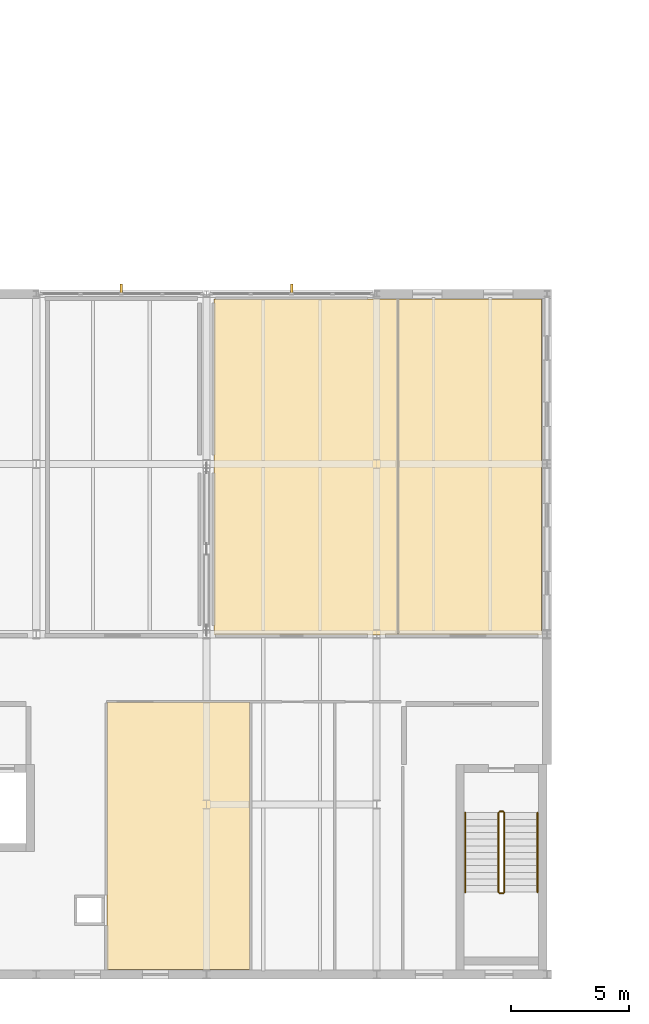
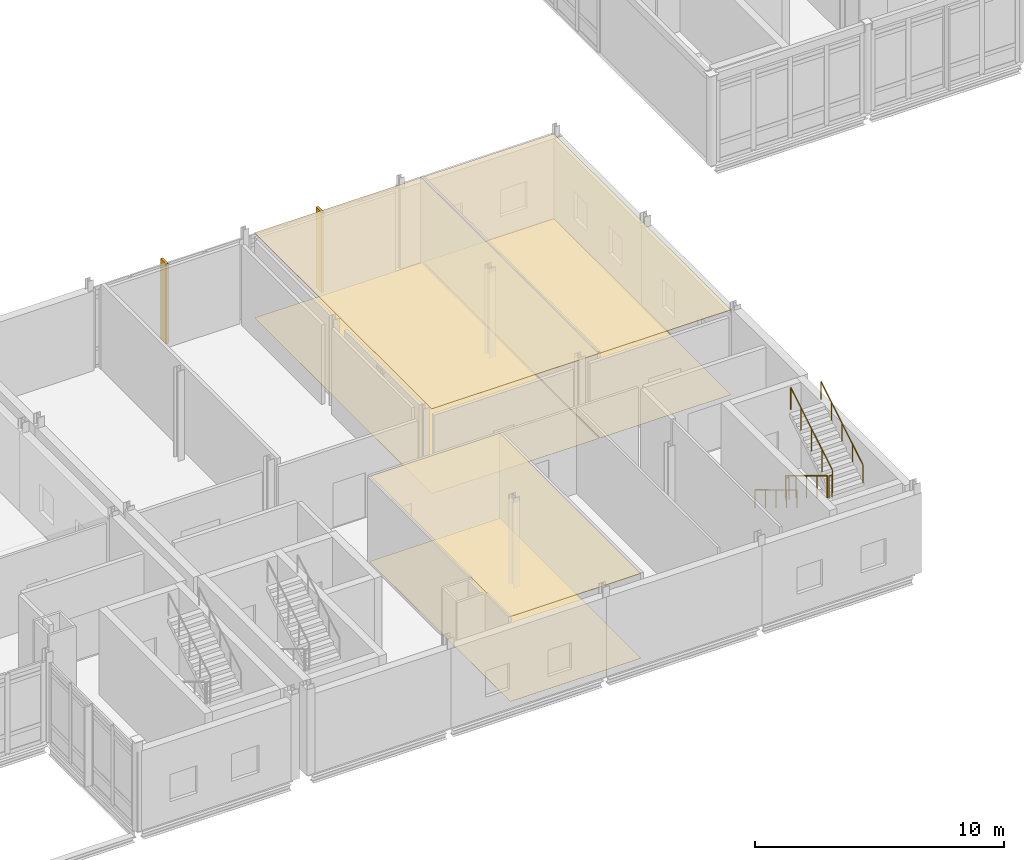
# One storey, part 68 of 72: 6 coverings, 6 railings, 2 shading devices.
"""IFC4 building model written with IfcOpenShell, lengths in metres."""

from ifc_helpers import new_model, si_unit, direction, frame, origin, origin_2d, place, context, subcontext, project, spatial, polyline, rectangle, circle, outline, extrude, material, layer, layer_set, type_object, element, save


model = new_model("IFC4")

# Units and contexts
model_context = context("Model", 3, precision=1e-05, world=origin(), true_north=direction((0.0, 1.0)))
body_context = subcontext(model_context, "Body", "Model", "MODEL_VIEW")
ifc_project = project(units=[si_unit("LENGTHUNIT", "METRE"), si_unit("AREAUNIT", "SQUARE_METRE"), si_unit("VOLUMEUNIT", "CUBIC_METRE"), si_unit("PLANEANGLEUNIT", "RADIAN"), si_unit("MASSUNIT", "GRAM", prefix="KILO")], contexts=[model_context])

# Site, building, storey
site_placement = place(None, origin())
site = spatial("IfcSite", under=ifc_project, at=site_placement, CompositionType="ELEMENT")
building_placement = place(site_placement, origin())
building = spatial("IfcBuilding", under=site, at=building_placement, Name="Zarrinpeak Specialist Clinic", CompositionType="ELEMENT")
storey_placement = place(building_placement, frame((0.0, 0.0, 9.60009765625)))
storey = spatial("IfcBuildingStorey", under=building, at=storey_placement, Name="L02", CompositionType="ELEMENT", Elevation=9.60009765625)

# Coverings
ifc_material_1 = material(Name="Hygienic Acoustic Mineral Fibre Tile")
ifc_layer_1 = layer(ifc_material_1, 0.02490234375)
ifc_layer_set_1 = layer_set([ifc_layer_1], Name="Hygienic Acoustic Mineral Fibre Tile")
covering_type_1 = type_object("IfcCoveringType", Name="CV-CEIL-AC", PredefinedType="CEILING", material=ifc_layer_set_1)
covering_1_placement = place(storey_placement, frame((0.0, 0.0, 4.14501953125)))
element("IfcCovering", 1, at=covering_1_placement, inside=storey, type_object=covering_type_1, Name="L02 Ambulatory Operating Suite 1 Hygienic Acoustic Ceiling", PredefinedType="CEILING", context=body_context, shape_type="SweptSolid", body=[
    extrude(outline(polyline([(67.7900390625, 0.219970703125), (73.85009765625, 0.219970703125), (73.85009765625, 11.530029296875), (67.7900390625, 11.530029296875), (67.7900390625, 0.219970703125)])), origin(), (0.0, 0.0, 1.0), 0.02490234375),
])
covering_2_placement = place(storey_placement, frame((0.0, 0.0, 4.14501953125)))
element("IfcCovering", 2, at=covering_2_placement, inside=storey, type_object=covering_type_1, Name="L02 Ambulatory Operating Suite 2 Hygienic Acoustic Ceiling", PredefinedType="CEILING", context=body_context, shape_type="SweptSolid", body=[
    extrude(outline(polyline([(80.1201171875, 14.3701171875), (86.179931640625, 14.3701171875), (86.179931640625, 28.580078125), (80.1201171875, 28.580078125), (80.1201171875, 14.3701171875)])), origin(), (0.0, 0.0, 1.0), 0.02490234375),
])
covering_3_placement = place(storey_placement, frame((0.0, 0.0, 4.14501953125)))
element("IfcCovering", 3, at=covering_3_placement, inside=storey, type_object=covering_type_1, Name="L02 Specialist Consultation Room 1 Hygienic Acoustic Ceiling", PredefinedType="CEILING", context=body_context, shape_type="SweptSolid", body=[
    extrude(outline(polyline([(72.320068359375, 14.3701171875), (80.080078125, 14.3701171875), (80.080078125, 28.580078125), (72.320068359375, 28.580078125), (72.320068359375, 14.3701171875)])), origin(), (0.0, 0.0, 1.0), 0.02490234375),
])
ifc_material_2 = material(Name="Homogeneous Antimicrobial Clinical Vinyl")
ifc_layer_2 = layer(ifc_material_2, 0.008056640625)
ifc_layer_set_2 = layer_set([ifc_layer_2], Name="Homogeneous Antimicrobial Clinical Vinyl")
covering_type_2 = type_object("IfcCoveringType", Name="CV-FLR-VN", PredefinedType="FLOORING", material=ifc_layer_set_2)
covering_4_placement = place(storey_placement, frame((0.0, 0.0, 0.0009765625)))
element("IfcCovering", 4, at=covering_4_placement, inside=storey, type_object=covering_type_2, Name="L02 Ambulatory Operating Suite 1 Antimicrobial Vinyl Flooring", PredefinedType="FLOORING", context=body_context, shape_type="SweptSolid", body=[
    extrude(outline(polyline([(67.7900390625, 0.219970703125), (73.85009765625, 0.219970703125), (73.85009765625, 11.530029296875), (67.7900390625, 11.530029296875), (67.7900390625, 0.219970703125)])), origin(), (0.0, 0.0, 1.0), 0.0078125),
])
covering_5_placement = place(storey_placement, frame((0.0, 0.0, 0.0009765625)))
element("IfcCovering", 5, at=covering_5_placement, inside=storey, type_object=covering_type_2, Name="L02 Ambulatory Operating Suite 2 Antimicrobial Vinyl Flooring", PredefinedType="FLOORING", context=body_context, shape_type="SweptSolid", body=[
    extrude(outline(polyline([(80.1201171875, 14.3701171875), (86.179931640625, 14.3701171875), (86.179931640625, 28.580078125), (80.1201171875, 28.580078125), (80.1201171875, 14.3701171875)])), origin(), (0.0, 0.0, 1.0), 0.0078125),
])
covering_6_placement = place(storey_placement, frame((0.0, 0.0, 0.0009765625)))
element("IfcCovering", 6, at=covering_6_placement, inside=storey, type_object=covering_type_2, Name="L02 Specialist Consultation Room 1 Antimicrobial Vinyl Flooring", PredefinedType="FLOORING", context=body_context, shape_type="SweptSolid", body=[
    extrude(outline(polyline([(72.320068359375, 14.3701171875), (80.080078125, 14.3701171875), (80.080078125, 28.580078125), (72.320068359375, 28.580078125), (72.320068359375, 14.3701171875)])), origin(), (0.0, 0.0, 1.0), 0.0078125),
])

# Railings
ifc_material_3 = material(Name="Laminated Safety Glass and Stainless Steel 316", Category="steel")
ifc_layer_3 = layer(ifc_material_3, 0.06005859375)
ifc_layer_set_3 = layer_set([ifc_layer_3], Name="Laminated Safety Glass and Stainless Steel 316")
railing_type_1 = type_object("IfcRailingType", Name="RL-GRD115", PredefinedType="GUARDRAIL", material=ifc_layer_set_3)
railing_1_placement = place(storey_placement, frame((84.35009765625, 6.85009765625, 0.169189453125)))
element("IfcRailing", 7, at=railing_1_placement, inside=storey, type_object=railing_type_1, Name="L02 ST-08 stair guard 1", PredefinedType="GUARDRAIL", context=body_context, shape_type="SweptSolid", body=[
    extrude(circle(Radius=0.02392578125, at=origin_2d()), frame((0.0, 0.0, 1.076171875), z_axis=(0.0, -0.855836976705, 0.517245656632), x_axis=(1.0, 0.0, 0.0)), (0.0, 0.0, 1.0), 3.926025390625),
    extrude(circle(Radius=0.02099609375, at=origin_2d()), origin(), (0.0, 0.0, 1.0), 1.052001953125),
    extrude(circle(Radius=0.02099609375, at=origin_2d()), frame((0.0, -0.840087890625, 0.5078125)), (0.0, 0.0, 1.0), 1.052001953125),
    extrude(circle(Radius=0.02099609375, at=origin_2d()), frame((0.0, -1.68017578125, 1.015380859375)), (0.0, 0.0, 1.0), 1.052001953125),
    extrude(circle(Radius=0.02099609375, at=origin_2d()), frame((0.0, -2.52001953125, 1.52294921875)), (0.0, 0.0, 1.0), 1.052001953125),
    extrude(circle(Radius=0.02099609375, at=origin_2d()), frame((0.0, -3.360107421875, 2.03076171875)), (0.0, 0.0, 1.0), 1.052001953125),
])
railing_2_placement = place(storey_placement, frame((84.39990234375, 3.43994140625, 2.199951171875)))
element("IfcRailing", 8, at=railing_2_placement, inside=storey, type_object=railing_type_1, Name="L02 ST-08 stair guard 2", PredefinedType="GUARDRAIL", context=body_context, shape_type="SweptSolid", body=[
    extrude(circle(Radius=0.02392578125, at=origin_2d()), frame((0.0, 0.0, 1.076171875), z_axis=(1.0, 0.0, 0.0), x_axis=(0.0, 1.0, 0.0)), (0.0, 0.0, 1.0), 0.150146484375),
    extrude(circle(Radius=0.02099609375, at=origin_2d()), origin(), (0.0, 0.0, 1.0), 1.052001953125),
    extrude(circle(Radius=0.02099609375, at=origin_2d()), frame((0.150146484375, 0.0, 0.0)), (0.0, 0.0, 1.0), 1.052001953125),
])
railing_3_placement = place(storey_placement, frame((84.60009765625, 3.489990234375, 2.369140625)))
element("IfcRailing", 9, at=railing_3_placement, inside=storey, type_object=railing_type_1, Name="L02 ST-08 stair guard 3", PredefinedType="GUARDRAIL", context=body_context, shape_type="SweptSolid", body=[
    extrude(circle(Radius=0.02392578125, at=origin_2d()), frame((0.0, 0.0, 1.076171875), z_axis=(0.0, 0.855836976705, 0.517245656632), x_axis=(-1.0, 0.0, 0.0)), (0.0, 0.0, 1.0), 3.926025390625),
    extrude(circle(Radius=0.02099609375, at=origin_2d()), origin(), (0.0, 0.0, 1.0), 1.052001953125),
    extrude(circle(Radius=0.02099609375, at=origin_2d()), frame((0.0, 0.840087890625, 0.5078125)), (0.0, 0.0, 1.0), 1.052001953125),
    extrude(circle(Radius=0.02099609375, at=origin_2d()), frame((0.0, 1.68017578125, 1.015380859375)), (0.0, 0.0, 1.0), 1.052001953125),
    extrude(circle(Radius=0.02099609375, at=origin_2d()), frame((0.0, 2.52001953125, 1.52294921875)), (0.0, 0.0, 1.0), 1.052001953125),
    extrude(circle(Radius=0.02099609375, at=origin_2d()), frame((0.0, 3.360107421875, 2.03076171875)), (0.0, 0.0, 1.0), 1.052001953125),
])
railing_4_placement = place(storey_placement, frame((84.39990234375, 6.89990234375, 0.0)))
element("IfcRailing", 10, at=railing_4_placement, inside=storey, type_object=railing_type_1, Name="L02 ST-08 stair guard 4", PredefinedType="GUARDRAIL", context=body_context, shape_type="SweptSolid", body=[
    extrude(circle(Radius=0.02392578125, at=origin_2d()), frame((0.0, 0.0, 1.076171875), z_axis=(1.0, 0.0, 0.0), x_axis=(0.0, 1.0, 0.0)), (0.0, 0.0, 1.0), 0.150146484375),
    extrude(circle(Radius=0.02099609375, at=origin_2d()), origin(), (0.0, 0.0, 1.0), 1.052001953125),
    extrude(circle(Radius=0.02099609375, at=origin_2d()), frame((0.150146484375, 0.0, 0.0)), (0.0, 0.0, 1.0), 1.052001953125),
])
ifc_material_4 = material(Name="Brushed Stainless Steel 316 Handrail", Category="steel")
ifc_layer_4 = layer(ifc_material_4, 0.050048828125)
ifc_layer_set_4 = layer_set([ifc_layer_4], Name="Brushed Stainless Steel 316 Handrail")
railing_type_2 = type_object("IfcRailingType", Name="RL-HND92", PredefinedType="HANDRAIL", material=ifc_layer_set_4)
railing_5_placement = place(storey_placement, frame((82.949951171875, 6.85009765625, 0.169189453125)))
element("IfcRailing", 11, at=railing_5_placement, inside=storey, type_object=railing_type_2, Name="L02 ST-08 stair handrail 1", PredefinedType="HANDRAIL", context=body_context, shape_type="SweptSolid", body=[
    extrude(circle(Radius=0.02392578125, at=origin_2d()), frame((0.0, 0.0, 0.8759765625), z_axis=(0.0, -0.855836976705, 0.517245656632), x_axis=(1.0, 0.0, 0.0)), (0.0, 0.0, 1.0), 3.926025390625),
    extrude(circle(Radius=0.02099609375, at=origin_2d()), origin(), (0.0, 0.0, 1.0), 0.851806640625),
    extrude(circle(Radius=0.02099609375, at=origin_2d()), frame((0.0, -0.840087890625, 0.5078125)), (0.0, 0.0, 1.0), 0.851806640625),
    extrude(circle(Radius=0.02099609375, at=origin_2d()), frame((0.0, -1.68017578125, 1.015380859375)), (0.0, 0.0, 1.0), 0.851806640625),
    extrude(circle(Radius=0.02099609375, at=origin_2d()), frame((0.0, -2.52001953125, 1.52294921875)), (0.0, 0.0, 1.0), 0.851806640625),
    extrude(circle(Radius=0.02099609375, at=origin_2d()), frame((0.0, -3.360107421875, 2.03076171875)), (0.0, 0.0, 1.0), 0.851806640625),
])
railing_6_placement = place(storey_placement, frame((86.0, 3.489990234375, 2.369140625)))
element("IfcRailing", 12, at=railing_6_placement, inside=storey, type_object=railing_type_2, Name="L02 ST-08 stair handrail 2", PredefinedType="HANDRAIL", context=body_context, shape_type="SweptSolid", body=[
    extrude(circle(Radius=0.02392578125, at=origin_2d()), frame((0.0, 0.0, 0.8759765625), z_axis=(0.0, 0.855836976705, 0.517245656632), x_axis=(-1.0, 0.0, 0.0)), (0.0, 0.0, 1.0), 3.926025390625),
    extrude(circle(Radius=0.02099609375, at=origin_2d()), origin(), (0.0, 0.0, 1.0), 0.851806640625),
    extrude(circle(Radius=0.02099609375, at=origin_2d()), frame((0.0, 0.840087890625, 0.5078125)), (0.0, 0.0, 1.0), 0.851806640625),
    extrude(circle(Radius=0.02099609375, at=origin_2d()), frame((0.0, 1.68017578125, 1.015380859375)), (0.0, 0.0, 1.0), 0.851806640625),
    extrude(circle(Radius=0.02099609375, at=origin_2d()), frame((0.0, 2.52001953125, 1.52294921875)), (0.0, 0.0, 1.0), 0.851806640625),
    extrude(circle(Radius=0.02099609375, at=origin_2d()), frame((0.0, 3.360107421875, 2.03076171875)), (0.0, 0.0, 1.0), 0.851806640625),
])

# Shading devices
ifc_material_5 = material(Name="Glulam GL28h", Category="wood")
shading_device_type = type_object("IfcShadingDeviceType", Name="SHD-FIN-GL", PredefinedType="USERDEFINED", material=ifc_material_5)
for number, where, z_axis, x_axis, name in (
    (13, (68.39990234375, 29.0, -0.01513671875), (0.0, 0.0, 1.0), (1.0, 0.0, 0.0), "L02 V4 Cedar-Glulam Courtyard Fin FIN-050"),
    (14, (75.60009765625, 29.0, -0.01513671875), (0.0, 0.0, 1.0), (1.0, 0.0, 0.0), "L02 V4 Cedar-Glulam Courtyard Fin FIN-051"),
):
    element("IfcShadingDevice", number, at=place(storey_placement, frame(where, z_axis=z_axis, x_axis=x_axis)), inside=storey, type_object=shading_device_type, Name=name, ObjectType="SUNSHADE", PredefinedType="USERDEFINED", context=body_context, shape_type="SweptSolid", body=[
        extrude(rectangle(XDim=0.110107421875, YDim=0.449951171875, at=origin_2d()), origin(), (0.0, 0.0, 1.0), 3.929931640625),
    ])

save(model, "model.ifc")
